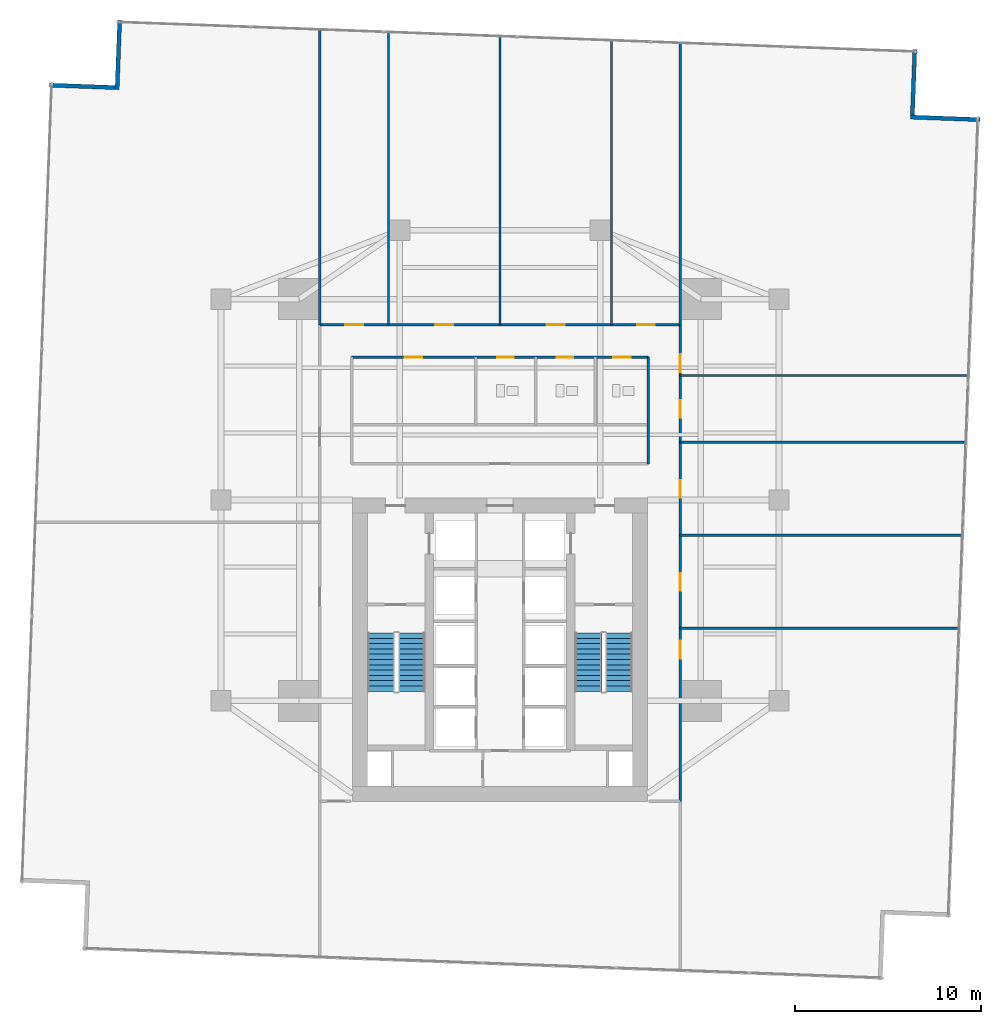
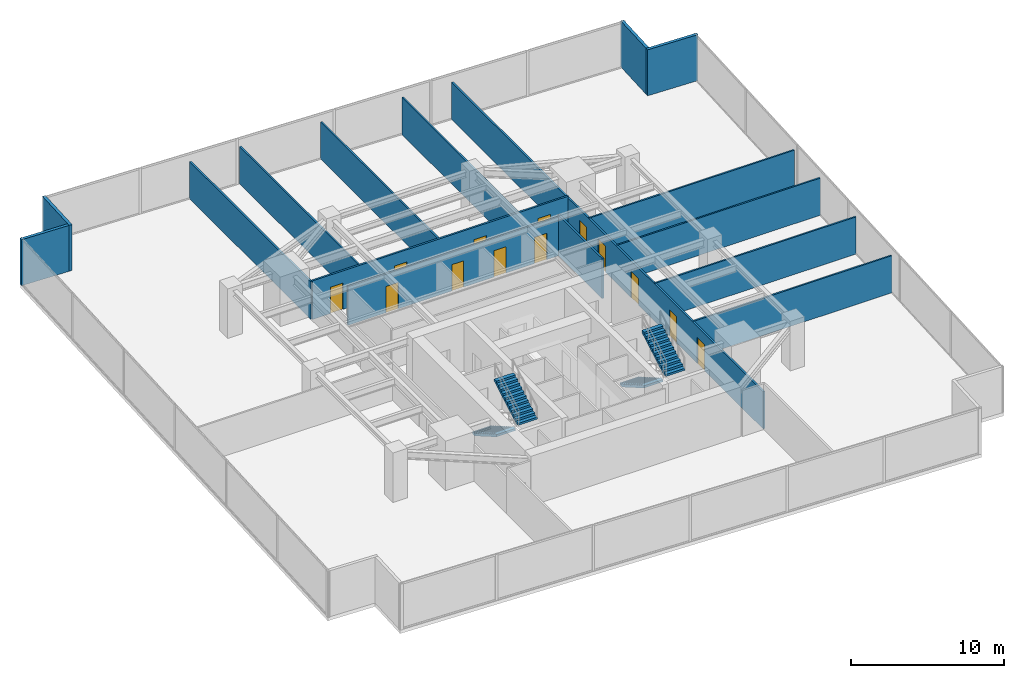
# One storey, part 28 of 30: 17 walls, 13 doors, 4 stair flights, 13 openings, 2 elements without a shape of their own.
"""IFC4 building model written with IfcOpenShell, lengths in metres."""

from ifc_helpers import new_model, si_unit, direction, frame, frame_2d, origin, place, context, subcontext, project, spatial, polyline, rectangle, outline, extrude, material, layer, layer_set, type_object, element, fill, aggregate, save


model = new_model("IFC4")

# Units and contexts
model_context = context("Model", 3, precision=1e-05, world=origin(), true_north=direction((0.0, 1.0)))
body_context = subcontext(model_context, "Body", "Model", "MODEL_VIEW")
ifc_project = project(units=[si_unit("LENGTHUNIT", "METRE"), si_unit("AREAUNIT", "SQUARE_METRE"), si_unit("VOLUMEUNIT", "CUBIC_METRE"), si_unit("PLANEANGLEUNIT", "RADIAN"), si_unit("MASSUNIT", "GRAM", prefix="KILO")], contexts=[model_context])

# Site, building, storey
site_placement = place(None, origin())
site = spatial("IfcSite", under=ifc_project, at=site_placement, CompositionType="ELEMENT")
building_placement = place(site_placement, origin())
building = spatial("IfcBuilding", under=site, at=building_placement, Name="Krantzveldt Concourse Tower", CompositionType="ELEMENT")
storey_placement = place(building_placement, frame((0.0, 0.0, 36.85009765625)))
storey = spatial("IfcBuildingStorey", under=building, at=storey_placement, Name="L08", CompositionType="ELEMENT", Elevation=36.85009765625)

# Walls
ifc_material_1 = material(Name="Anodised aluminium 6063-T6", Category="aluminium")
ifc_layer_1 = layer(ifc_material_1, 0.219970703125, Name="Anodised aluminium 6063-T6", Category="aluminium")
ifc_layer_set_1 = layer_set([ifc_layer_1], Name="Anodised aluminium 6063-T6 (WL-EXT-NOTCH220)")
wall_type_1 = type_object("IfcWallType", Name="WL-EXT-NOTCH220", PredefinedType="ELEMENTEDWALL", material=ifc_layer_set_1)
wall_1_placement = place(storey_placement, frame((15.307861328125, 48.87255859375, 0.0), z_axis=(0.0, 0.0, 1.0), x_axis=(-0.999313219865, 0.03705521019, 0.0)))
element("IfcWall", 1, at=wall_1_placement, inside=storey, type_object=wall_type_1, Name="EW-L08-NCH00", PredefinedType="ELEMENTEDWALL", context=body_context, shape_type="SweptSolid", body=[
    extrude(rectangle(XDim=3.52490234375, YDim=0.219970703125, at=frame_2d((1.762451171875, 0.0))), origin(), (0.0, 0.0, 1.0), 3.669921875),
])
wall_2_placement = place(storey_placement, frame((61.801025390625, 47.1474609375, 0.0), z_axis=(0.0, 0.0, 1.0), x_axis=(-0.999314208504, 0.037028538746, 0.0)))
element("IfcWall", 2, at=wall_2_placement, inside=storey, type_object=wall_type_1, Name="EW-L08-NCH08", PredefinedType="ELEMENTEDWALL", context=body_context, shape_type="SweptSolid", body=[
    extrude(rectangle(XDim=3.7451171875, YDim=0.219970703125, at=frame_2d((1.87255859375, 0.0))), origin(), (0.0, 0.0, 1.0), 3.669921875),
])
wall_3_placement = place(storey_placement, frame((58.172607421875, 47.39208984375, 0.0), z_axis=(0.0, 0.0, 1.0), x_axis=(0.03705521019, 0.999313219865, 0.0)))
element("IfcWall", 3, at=wall_3_placement, inside=storey, type_object=wall_type_1, Name="EW-L08-NCH09", PredefinedType="ELEMENTEDWALL", context=body_context, shape_type="SweptSolid", body=[
    extrude(rectangle(XDim=3.52490234375, YDim=0.219970703125, at=frame_2d((1.762451171875, 0.0))), origin(), (0.0, 0.0, 1.0), 3.669921875),
])
wall_4_placement = place(storey_placement, frame((15.552734375, 52.5009765625, 0.0), z_axis=(0.0, 0.0, 1.0), x_axis=(-0.037093640215, -0.999311794114, 0.0)))
element("IfcWall", 4, at=wall_4_placement, inside=storey, type_object=wall_type_1, Name="EW-L08-NCH11", PredefinedType="ELEMENTEDWALL", context=body_context, shape_type="SweptSolid", body=[
    extrude(rectangle(XDim=3.7451171875, YDim=0.219970703125, at=frame_2d((1.87255859375, 0.0))), origin(), (0.0, 0.0, 1.0), 3.669921875),
])
ifc_material_2 = material(Name="Fire-rated gypsum plasterboard on steel stud", Category="steel")
ifc_layer_2 = layer(ifc_material_2, 0.1201171875, Name="Fire-rated gypsum plasterboard on steel stud", Category="steel")
ifc_layer_set_2 = layer_set([ifc_layer_2], Name="Fire-rated gypsum plasterboard on steel stud (WL-PART-120)")
wall_type_2 = type_object("IfcWallType", Name="WL-PART-120", PredefinedType="PARTITIONING", material=ifc_layer_set_2)
wall_5_placement = place(storey_placement, frame((30.0, 36.1201171875, 0.0), z_axis=(0.0, 0.0, 1.0), x_axis=(0.0, 1.0, 0.0)))
element("IfcWall", 5, at=wall_5_placement, inside=storey, type_object=wall_type_2, Name="WP-L08-ND1", PredefinedType="PARTITIONING", context=body_context, shape_type="SweptSolid", body=[
    extrude(rectangle(XDim=15.729736328125, YDim=0.1201171875, at=frame_2d((7.86474609375, 0.0))), origin(), (0.0, 0.0, 1.0), 2.969970703125),
])
wall_6_placement = place(storey_placement, frame((36.0, 36.1201171875, 0.0), z_axis=(0.0, 0.0, 1.0), x_axis=(0.0, 1.0, 0.0)))
element("IfcWall", 6, at=wall_6_placement, inside=storey, type_object=wall_type_2, Name="WP-L08-ND2", PredefinedType="PARTITIONING", context=body_context, shape_type="SweptSolid", body=[
    extrude(rectangle(XDim=15.507080078125, YDim=0.1201171875, at=frame_2d((7.75341796875, 0.0))), origin(), (0.0, 0.0, 1.0), 2.969970703125),
])
wall_7_placement = place(storey_placement, frame((42.0, 36.1201171875, 0.0), z_axis=(0.0, 0.0, 1.0), x_axis=(0.0, 1.0, 0.0)))
element("IfcWall", 7, at=wall_7_placement, inside=storey, type_object=wall_type_2, Name="WP-L08-ND3", PredefinedType="PARTITIONING", context=body_context, shape_type="SweptSolid", body=[
    extrude(rectangle(XDim=15.284423828125, YDim=0.1201171875, at=frame_2d((7.64208984375, 0.0))), origin(), (0.0, 0.0, 1.0), 2.969970703125),
])
wall_8_placement = place(storey_placement, frame((45.679931640625, 19.800048828125, 0.0), z_axis=(0.0, 0.0, 1.0), x_axis=(1.0, 0.0, 0.0)))
element("IfcWall", 8, at=wall_8_placement, inside=storey, type_object=wall_type_2, Name="WP-L08-ED1", PredefinedType="PARTITIONING", context=body_context, shape_type="SweptSolid", body=[
    extrude(rectangle(XDim=14.9912109375, YDim=0.1201171875, at=frame_2d((7.49560546875, 0.0))), origin(), (0.0, 0.0, 1.0), 2.969970703125),
])
wall_9_placement = place(storey_placement, frame((45.679931640625, 24.800048828125, 0.0), z_axis=(0.0, 0.0, 1.0), x_axis=(1.0, 0.0, 0.0)))
element("IfcWall", 9, at=wall_9_placement, inside=storey, type_object=wall_type_2, Name="WP-L08-ED2", PredefinedType="PARTITIONING", context=body_context, shape_type="SweptSolid", body=[
    extrude(rectangle(XDim=15.1767578125, YDim=0.1201171875, at=frame_2d((7.58837890625, 0.0))), origin(), (0.0, 0.0, 1.0), 2.969970703125),
])
wall_10_placement = place(storey_placement, frame((45.679931640625, 29.800048828125, 0.0), z_axis=(0.0, 0.0, 1.0), x_axis=(1.0, 0.0, 0.0)))
element("IfcWall", 10, at=wall_10_placement, inside=storey, type_object=wall_type_2, Name="WP-L08-ED3", PredefinedType="PARTITIONING", context=body_context, shape_type="SweptSolid", body=[
    extrude(rectangle(XDim=15.3623046875, YDim=0.1201171875, at=frame_2d((7.68115234375, 0.0))), origin(), (0.0, 0.0, 1.0), 2.969970703125),
])
wall_11_placement = place(storey_placement, frame((45.679931640625, 33.39990234375, 0.0), z_axis=(0.0, 0.0, 1.0), x_axis=(1.0, 0.0, 0.0)))
element("IfcWall", 11, at=wall_11_placement, inside=storey, type_object=wall_type_2, Name="WP-L08-ED4", PredefinedType="PARTITIONING", context=body_context, shape_type="SweptSolid", body=[
    extrude(rectangle(XDim=15.495849609375, YDim=0.1201171875, at=frame_2d((7.748046875, 0.0))), origin(), (0.0, 0.0, 1.0), 2.969970703125),
])

# Wall, openings, doors
ifc_layer_3 = layer(ifc_material_2, 0.139892578125, Name="Fire-rated gypsum plasterboard on steel stud", Category="steel")
ifc_layer_set_3 = layer_set([ifc_layer_3], Name="Fire-rated gypsum plasterboard on steel stud (WL-PART-140)")
wall_type_3 = type_object("IfcWallType", Name="WL-PART-140", PredefinedType="PARTITIONING", material=ifc_layer_set_3)
wall_12_placement = place(storey_placement, frame((28.02001953125, 34.3798828125, 0.0), z_axis=(0.0, 0.0, 1.0), x_axis=(1.0, 0.0, 0.0)))
wall_12 = element("IfcWall", 12, at=wall_12_placement, inside=storey, type_object=wall_type_3, Name="WP-L08-ISLN", PredefinedType="PARTITIONING", context=body_context, shape_type="SweptSolid", body=[
    extrude(rectangle(XDim=15.9599609375, YDim=0.139892578125, at=frame_2d((7.97998046875, 0.0))), origin(), (0.0, 0.0, 1.0), 3.079833984375),
])
opening_1_placement = place(wall_12_placement, frame((7.830078125, 0.0, 0.0)))
opening_1 = element("IfcOpeningElement", 13, at=opening_1_placement, cuts=wall_12, Name="Opening D-IN090", PredefinedType="OPENING", context=body_context, shape_type="SweptSolid", body=[
    extrude(rectangle(XDim=0.89990234375, YDim=2.10009765625, at=frame_2d((0.449951171875, 1.050048828125))), frame((0.0, 0.080078125, 0.0), z_axis=(0.0, -1.0, 0.0), x_axis=(1.0, 0.0, 0.0)), (0.0, 0.0, 1.0), 0.159912109375),
])
opening_2_placement = place(wall_12_placement, frame((11.030029296875, 0.0, 0.0)))
opening_2 = element("IfcOpeningElement", 14, at=opening_2_placement, cuts=wall_12, Name="Opening D-IN090", PredefinedType="OPENING", context=body_context, shape_type="SweptSolid", body=[
    extrude(rectangle(XDim=0.89990234375, YDim=2.10009765625, at=frame_2d((0.449951171875, 1.050048828125))), frame((0.0, 0.080078125, 0.0), z_axis=(0.0, -1.0, 0.0), x_axis=(1.0, 0.0, 0.0)), (0.0, 0.0, 1.0), 0.159912109375),
])
opening_3_placement = place(wall_12_placement, frame((14.054931640625, 0.0, 0.0)))
opening_3 = element("IfcOpeningElement", 15, at=opening_3_placement, cuts=wall_12, Name="Opening D-IN095", PredefinedType="OPENING", context=body_context, shape_type="SweptSolid", body=[
    extrude(rectangle(XDim=0.949951171875, YDim=2.10009765625, at=frame_2d((0.47509765625, 1.050048828125))), frame((0.0, 0.080078125, 0.0), z_axis=(0.0, -1.0, 0.0), x_axis=(1.0, 0.0, 0.0)), (0.0, 0.0, 1.0), 0.159912109375),
])
opening_4_placement = place(wall_12_placement, frame((2.85498046875, 0.0, 0.0)))
opening_4 = element("IfcOpeningElement", 16, at=opening_4_placement, cuts=wall_12, Name="Opening D-IN095", PredefinedType="OPENING", context=body_context, shape_type="SweptSolid", body=[
    extrude(rectangle(XDim=0.949951171875, YDim=2.10009765625, at=frame_2d((0.47509765625, 1.050048828125))), frame((0.0, 0.080078125, 0.0), z_axis=(0.0, -1.0, 0.0), x_axis=(1.0, 0.0, 0.0)), (0.0, 0.0, 1.0), 0.159912109375),
])
ifc_material_3 = material(Name="Hardwood timber", Category="wood")
door_type_1 = type_object("IfcDoorType", Name="DR-INT-900", OperationType="SINGLE_SWING_LEFT", PredefinedType="DOOR", material=ifc_material_3)
door_1_placement = place(opening_1_placement, origin())
door_1 = element("IfcDoor", 17, at=door_1_placement, inside=storey, type_object=door_type_1, Name="DR-L08-WCM", OperationType="SINGLE_SWING_LEFT", OverallHeight=2.10009765625, OverallWidth=0.89990234375, PredefinedType="DOOR", context=body_context, shape_type="SweptSolid", body=[
    extrude(rectangle(XDim=0.89990234375, YDim=2.10009765625, at=frame_2d((0.449951171875, 1.050048828125))), frame((0.0, 0.02490234375, 0.0), z_axis=(0.0, -1.0, 0.0), x_axis=(1.0, 0.0, 0.0)), (0.0, 0.0, 1.0), 0.050048828125),
])
fill(opening_1, door_1)
door_2_placement = place(opening_2_placement, origin())
door_2 = element("IfcDoor", 18, at=door_2_placement, inside=storey, type_object=door_type_1, Name="DR-L08-WCF", OperationType="SINGLE_SWING_RIGHT", OverallHeight=2.10009765625, OverallWidth=0.89990234375, PredefinedType="DOOR", context=body_context, shape_type="SweptSolid", body=[
    extrude(rectangle(XDim=0.89990234375, YDim=2.10009765625, at=frame_2d((0.449951171875, 1.050048828125))), frame((0.0, 0.02490234375, 0.0), z_axis=(0.0, -1.0, 0.0), x_axis=(1.0, 0.0, 0.0)), (0.0, 0.0, 1.0), 0.050048828125),
])
fill(opening_2, door_2)
door_type_2 = type_object("IfcDoorType", Name="DR-INT-950", OperationType="SINGLE_SWING_LEFT", PredefinedType="DOOR", material=ifc_material_3)
door_3_placement = place(opening_3_placement, origin())
door_3 = element("IfcDoor", 19, at=door_3_placement, inside=storey, type_object=door_type_2, Name="DR-L08-WCA", OperationType="SINGLE_SWING_LEFT", OverallHeight=2.10009765625, OverallWidth=0.949951171875, PredefinedType="DOOR", context=body_context, shape_type="SweptSolid", body=[
    extrude(rectangle(XDim=0.949951171875, YDim=2.10009765625, at=frame_2d((0.47509765625, 1.050048828125))), frame((0.0, 0.02490234375, 0.0), z_axis=(0.0, -1.0, 0.0), x_axis=(1.0, 0.0, 0.0)), (0.0, 0.0, 1.0), 0.050048828125),
])
fill(opening_3, door_3)
door_4_placement = place(opening_4_placement, origin())
door_4 = element("IfcDoor", 20, at=door_4_placement, inside=storey, type_object=door_type_2, Name="DR-L08-PNT", OperationType="SINGLE_SWING_RIGHT", OverallHeight=2.10009765625, OverallWidth=0.949951171875, PredefinedType="DOOR", context=body_context, shape_type="SweptSolid", body=[
    extrude(rectangle(XDim=0.949951171875, YDim=2.10009765625, at=frame_2d((0.47509765625, 1.050048828125))), frame((0.0, 0.02490234375, 0.0), z_axis=(0.0, -1.0, 0.0), x_axis=(1.0, 0.0, 0.0)), (0.0, 0.0, 1.0), 0.050048828125),
])
fill(opening_4, door_4)

# Wall
wall_13_placement = place(storey_placement, frame((43.97998046875, 28.639892578125, 0.0), z_axis=(0.0, 0.0, 1.0), x_axis=(0.0, 1.0, 0.0)))
element("IfcWall", 21, at=wall_13_placement, inside=storey, type_object=wall_type_3, Name="WP-L08-ISLE", PredefinedType="PARTITIONING", context=body_context, shape_type="SweptSolid", body=[
    extrude(rectangle(XDim=5.739990234375, YDim=0.139892578125, at=frame_2d((2.8701171875, 0.0))), origin(), (0.0, 0.0, 1.0), 3.219970703125),
])

# Wall, openings, doors
wall_14_placement = place(storey_placement, frame((26.320068359375, 36.1201171875, 0.0), z_axis=(0.0, 0.0, 1.0), x_axis=(1.0, 0.0, 0.0)))
wall_14 = element("IfcWall", 22, at=wall_14_placement, inside=storey, type_object=wall_type_3, Name="WP-L08-CTOP", PredefinedType="PARTITIONING", context=body_context, shape_type="SweptSolid", body=[
    extrude(rectangle(XDim=19.35986328125, YDim=0.139892578125, at=frame_2d((9.679931640625, 0.0))), origin(), (0.0, 0.0, 1.0), 3.079833984375),
])
opening_5_placement = place(wall_14_placement, frame((1.364990234375, 0.0, 0.0)))
opening_5 = element("IfcOpeningElement", 23, at=opening_5_placement, cuts=wall_14, Name="Opening D-IN095", PredefinedType="OPENING", context=body_context, shape_type="SweptSolid", body=[
    extrude(rectangle(XDim=0.949951171875, YDim=2.10009765625, at=frame_2d((0.47509765625, 1.050048828125))), frame((0.0, 0.080078125, 0.0), z_axis=(0.0, -1.0, 0.0), x_axis=(1.0, 0.0, 0.0)), (0.0, 0.0, 1.0), 0.159912109375),
])
opening_6_placement = place(wall_14_placement, frame((6.205078125, 0.0, 0.0)))
opening_6 = element("IfcOpeningElement", 24, at=opening_6_placement, cuts=wall_14, Name="Opening D-IN095", PredefinedType="OPENING", context=body_context, shape_type="SweptSolid", body=[
    extrude(rectangle(XDim=0.949951171875, YDim=2.10009765625, at=frame_2d((0.47509765625, 1.050048828125))), frame((0.0, 0.080078125, 0.0), z_axis=(0.0, -1.0, 0.0), x_axis=(1.0, 0.0, 0.0)), (0.0, 0.0, 1.0), 0.159912109375),
])
opening_7_placement = place(wall_14_placement, frame((12.205078125, 0.0, 0.0)))
opening_7 = element("IfcOpeningElement", 25, at=opening_7_placement, cuts=wall_14, Name="Opening D-IN095", PredefinedType="OPENING", context=body_context, shape_type="SweptSolid", body=[
    extrude(rectangle(XDim=0.949951171875, YDim=2.10009765625, at=frame_2d((0.47509765625, 1.050048828125))), frame((0.0, 0.080078125, 0.0), z_axis=(0.0, -1.0, 0.0), x_axis=(1.0, 0.0, 0.0)), (0.0, 0.0, 1.0), 0.159912109375),
])
opening_8_placement = place(wall_14_placement, frame((17.044921875, 0.0, 0.0)))
opening_8 = element("IfcOpeningElement", 26, at=opening_8_placement, cuts=wall_14, Name="Opening D-IN095", PredefinedType="OPENING", context=body_context, shape_type="SweptSolid", body=[
    extrude(rectangle(XDim=0.949951171875, YDim=2.10009765625, at=frame_2d((0.47509765625, 1.050048828125))), frame((0.0, 0.080078125, 0.0), z_axis=(0.0, -1.0, 0.0), x_axis=(1.0, 0.0, 0.0)), (0.0, 0.0, 1.0), 0.159912109375),
])
door_5_placement = place(opening_5_placement, origin())
door_5 = element("IfcDoor", 27, at=door_5_placement, inside=storey, type_object=door_type_2, Name="DR-L08-NR1", OperationType="SINGLE_SWING_LEFT", OverallHeight=2.10009765625, OverallWidth=0.949951171875, PredefinedType="DOOR", context=body_context, shape_type="SweptSolid", body=[
    extrude(rectangle(XDim=0.949951171875, YDim=2.10009765625, at=frame_2d((0.47509765625, 1.050048828125))), frame((0.0, 0.02490234375, 0.0), z_axis=(0.0, -1.0, 0.0), x_axis=(1.0, 0.0, 0.0)), (0.0, 0.0, 1.0), 0.050048828125),
])
fill(opening_5, door_5)
door_6_placement = place(opening_6_placement, origin())
door_6 = element("IfcDoor", 28, at=door_6_placement, inside=storey, type_object=door_type_2, Name="DR-L08-NR2", OperationType="SINGLE_SWING_LEFT", OverallHeight=2.10009765625, OverallWidth=0.949951171875, PredefinedType="DOOR", context=body_context, shape_type="SweptSolid", body=[
    extrude(rectangle(XDim=0.949951171875, YDim=2.10009765625, at=frame_2d((0.47509765625, 1.050048828125))), frame((0.0, 0.02490234375, 0.0), z_axis=(0.0, -1.0, 0.0), x_axis=(1.0, 0.0, 0.0)), (0.0, 0.0, 1.0), 0.050048828125),
])
fill(opening_6, door_6)
door_7_placement = place(opening_7_placement, origin())
door_7 = element("IfcDoor", 29, at=door_7_placement, inside=storey, type_object=door_type_2, Name="DR-L08-NR3", OperationType="SINGLE_SWING_LEFT", OverallHeight=2.10009765625, OverallWidth=0.949951171875, PredefinedType="DOOR", context=body_context, shape_type="SweptSolid", body=[
    extrude(rectangle(XDim=0.949951171875, YDim=2.10009765625, at=frame_2d((0.47509765625, 1.050048828125))), frame((0.0, 0.02490234375, 0.0), z_axis=(0.0, -1.0, 0.0), x_axis=(1.0, 0.0, 0.0)), (0.0, 0.0, 1.0), 0.050048828125),
])
fill(opening_7, door_7)
door_8_placement = place(opening_8_placement, origin())
door_8 = element("IfcDoor", 30, at=door_8_placement, inside=storey, type_object=door_type_2, Name="DR-L08-NR4", OperationType="SINGLE_SWING_LEFT", OverallHeight=2.10009765625, OverallWidth=0.949951171875, PredefinedType="DOOR", context=body_context, shape_type="SweptSolid", body=[
    extrude(rectangle(XDim=0.949951171875, YDim=2.10009765625, at=frame_2d((0.47509765625, 1.050048828125))), frame((0.0, 0.02490234375, 0.0), z_axis=(0.0, -1.0, 0.0), x_axis=(1.0, 0.0, 0.0)), (0.0, 0.0, 1.0), 0.050048828125),
])
fill(opening_8, door_8)

wall_15_placement = place(storey_placement, frame((45.679931640625, 10.5, 0.0), z_axis=(0.0, 0.0, 1.0), x_axis=(0.0, 1.0, 0.0)))
wall_15 = element("IfcWall", 31, at=wall_15_placement, inside=storey, type_object=wall_type_3, Name="WP-L08-CEAST", PredefinedType="PARTITIONING", context=body_context, shape_type="SweptSolid", body=[
    extrude(rectangle(XDim=25.6201171875, YDim=0.139892578125, at=frame_2d((12.81005859375, 0.0))), origin(), (0.0, 0.0, 1.0), 2.969970703125),
])
opening_9_placement = place(wall_15_placement, frame((7.675048828125, 0.0, 0.0)))
opening_9 = element("IfcOpeningElement", 32, at=opening_9_placement, cuts=wall_15, Name="Opening D-IN095", PredefinedType="OPENING", context=body_context, shape_type="SweptSolid", body=[
    extrude(rectangle(XDim=0.949951171875, YDim=2.10009765625, at=frame_2d((0.47509765625, 1.050048828125))), frame((0.0, 0.080078125, 0.0), z_axis=(0.0, -1.0, 0.0), x_axis=(1.0, 0.0, 0.0)), (0.0, 0.0, 1.0), 0.159912109375),
])
opening_10_placement = place(wall_15_placement, frame((11.324951171875, 0.0, 0.0)))
opening_10 = element("IfcOpeningElement", 33, at=opening_10_placement, cuts=wall_15, Name="Opening D-IN095", PredefinedType="OPENING", context=body_context, shape_type="SweptSolid", body=[
    extrude(rectangle(XDim=0.949951171875, YDim=2.10009765625, at=frame_2d((0.47509765625, 1.050048828125))), frame((0.0, 0.080078125, 0.0), z_axis=(0.0, -1.0, 0.0), x_axis=(1.0, 0.0, 0.0)), (0.0, 0.0, 1.0), 0.159912109375),
])
opening_11_placement = place(wall_15_placement, frame((16.324951171875, 0.0, 0.0)))
opening_11 = element("IfcOpeningElement", 34, at=opening_11_placement, cuts=wall_15, Name="Opening D-IN095", PredefinedType="OPENING", context=body_context, shape_type="SweptSolid", body=[
    extrude(rectangle(XDim=0.949951171875, YDim=2.10009765625, at=frame_2d((0.47509765625, 1.050048828125))), frame((0.0, 0.080078125, 0.0), z_axis=(0.0, -1.0, 0.0), x_axis=(1.0, 0.0, 0.0)), (0.0, 0.0, 1.0), 0.159912109375),
])
opening_12_placement = place(wall_15_placement, frame((20.625, 0.0, 0.0)))
opening_12 = element("IfcOpeningElement", 35, at=opening_12_placement, cuts=wall_15, Name="Opening D-IN095", PredefinedType="OPENING", context=body_context, shape_type="SweptSolid", body=[
    extrude(rectangle(XDim=0.949951171875, YDim=2.10009765625, at=frame_2d((0.47509765625, 1.050048828125))), frame((0.0, 0.080078125, 0.0), z_axis=(0.0, -1.0, 0.0), x_axis=(1.0, 0.0, 0.0)), (0.0, 0.0, 1.0), 0.159912109375),
])
opening_13_placement = place(wall_15_placement, frame((23.074951171875, 0.0, 0.0)))
opening_13 = element("IfcOpeningElement", 36, at=opening_13_placement, cuts=wall_15, Name="Opening D-IN095", PredefinedType="OPENING", context=body_context, shape_type="SweptSolid", body=[
    extrude(rectangle(XDim=0.949951171875, YDim=2.10009765625, at=frame_2d((0.47509765625, 1.050048828125))), frame((0.0, 0.080078125, 0.0), z_axis=(0.0, -1.0, 0.0), x_axis=(1.0, 0.0, 0.0)), (0.0, 0.0, 1.0), 0.159912109375),
])
door_9_placement = place(opening_9_placement, origin())
door_9 = element("IfcDoor", 37, at=door_9_placement, inside=storey, type_object=door_type_2, Name="DR-L08-ER1", OperationType="SINGLE_SWING_LEFT", OverallHeight=2.10009765625, OverallWidth=0.949951171875, PredefinedType="DOOR", context=body_context, shape_type="SweptSolid", body=[
    extrude(rectangle(XDim=0.949951171875, YDim=2.10009765625, at=frame_2d((0.47509765625, 1.050048828125))), frame((0.0, 0.02490234375, 0.0), z_axis=(0.0, -1.0, 0.0), x_axis=(1.0, 0.0, 0.0)), (0.0, 0.0, 1.0), 0.050048828125),
])
fill(opening_9, door_9)
door_10_placement = place(opening_10_placement, origin())
door_10 = element("IfcDoor", 38, at=door_10_placement, inside=storey, type_object=door_type_2, Name="DR-L08-ER2", OperationType="SINGLE_SWING_LEFT", OverallHeight=2.10009765625, OverallWidth=0.949951171875, PredefinedType="DOOR", context=body_context, shape_type="SweptSolid", body=[
    extrude(rectangle(XDim=0.949951171875, YDim=2.10009765625, at=frame_2d((0.47509765625, 1.050048828125))), frame((0.0, 0.02490234375, 0.0), z_axis=(0.0, -1.0, 0.0), x_axis=(1.0, 0.0, 0.0)), (0.0, 0.0, 1.0), 0.050048828125),
])
fill(opening_10, door_10)
door_11_placement = place(opening_11_placement, origin())
door_11 = element("IfcDoor", 39, at=door_11_placement, inside=storey, type_object=door_type_2, Name="DR-L08-ER3", OperationType="SINGLE_SWING_LEFT", OverallHeight=2.10009765625, OverallWidth=0.949951171875, PredefinedType="DOOR", context=body_context, shape_type="SweptSolid", body=[
    extrude(rectangle(XDim=0.949951171875, YDim=2.10009765625, at=frame_2d((0.47509765625, 1.050048828125))), frame((0.0, 0.02490234375, 0.0), z_axis=(0.0, -1.0, 0.0), x_axis=(1.0, 0.0, 0.0)), (0.0, 0.0, 1.0), 0.050048828125),
])
fill(opening_11, door_11)
door_12_placement = place(opening_12_placement, origin())
door_12 = element("IfcDoor", 40, at=door_12_placement, inside=storey, type_object=door_type_2, Name="DR-L08-ER4", OperationType="SINGLE_SWING_LEFT", OverallHeight=2.10009765625, OverallWidth=0.949951171875, PredefinedType="DOOR", context=body_context, shape_type="SweptSolid", body=[
    extrude(rectangle(XDim=0.949951171875, YDim=2.10009765625, at=frame_2d((0.47509765625, 1.050048828125))), frame((0.0, 0.02490234375, 0.0), z_axis=(0.0, -1.0, 0.0), x_axis=(1.0, 0.0, 0.0)), (0.0, 0.0, 1.0), 0.050048828125),
])
fill(opening_12, door_12)
door_13_placement = place(opening_13_placement, origin())
door_13 = element("IfcDoor", 41, at=door_13_placement, inside=storey, type_object=door_type_2, Name="DR-L08-ER5", OperationType="SINGLE_SWING_LEFT", OverallHeight=2.10009765625, OverallWidth=0.949951171875, PredefinedType="DOOR", context=body_context, shape_type="SweptSolid", body=[
    extrude(rectangle(XDim=0.949951171875, YDim=2.10009765625, at=frame_2d((0.47509765625, 1.050048828125))), frame((0.0, 0.02490234375, 0.0), z_axis=(0.0, -1.0, 0.0), x_axis=(1.0, 0.0, 0.0)), (0.0, 0.0, 1.0), 0.050048828125),
])
fill(opening_13, door_13)

# Walls
wall_16_placement = place(storey_placement, frame((26.320068359375, 36.1201171875, 0.0), z_axis=(0.0, 0.0, 1.0), x_axis=(0.0, 1.0, 0.0)))
element("IfcWall", 42, at=wall_16_placement, inside=storey, type_object=wall_type_3, Name="WP-L08-NWL", PredefinedType="PARTITIONING", context=body_context, shape_type="SweptSolid", body=[
    extrude(rectangle(XDim=15.8662109375, YDim=0.139892578125, at=frame_2d((7.93310546875, 0.0))), origin(), (0.0, 0.0, 1.0), 2.969970703125),
])
wall_17_placement = place(storey_placement, frame((45.679931640625, 36.1201171875, 0.0), z_axis=(0.0, 0.0, 1.0), x_axis=(0.0, 1.0, 0.0)))
element("IfcWall", 43, at=wall_17_placement, inside=storey, type_object=wall_type_3, Name="WP-L08-NER", PredefinedType="PARTITIONING", context=body_context, shape_type="SweptSolid", body=[
    extrude(rectangle(XDim=15.14794921875, YDim=0.139892578125, at=frame_2d((7.573974609375, 0.0))), origin(), (0.0, 0.0, 1.0), 2.969970703125),
])

# Stair, stair flights
ifc_material_4 = material(Name="Precast concrete C40/50", Category="concrete")
stair_type = type_object("IfcStairType", Name="STR-CORE-DOGLEG", PredefinedType="HALF_TURN_STAIR", material=ifc_material_4)
stair_1_placement = place(storey_placement, origin())
stair_1 = element("IfcStair", 44, at=stair_1_placement, inside=storey, type_object=stair_type, Name="L08 Protected Escape Stair ST-1", PredefinedType="HALF_TURN_STAIR")
stair_flight_type = type_object("IfcStairFlightType", Name="STF-CORE-1450", PredefinedType="STRAIGHT", material=ifc_material_4)
stair_flight_1_placement = place(storey_placement, frame((29.60498046875, 19.550048828125, 0.0), z_axis=(0.0, 0.0, 1.0), x_axis=(0.0, -1.0, 0.0)))
stair_flight_1 = element("IfcStairFlight", 45, at=stair_flight_1_placement, type_object=stair_flight_type, Name="ST-1 flight 1", NumberOfRisers=12, NumberOfTreads=11, PredefinedType="STRAIGHT", RiserHeight=0.164583333, TreadLength=0.285, context=body_context, shape_type="SweptSolid", body=[
    extrude(outline(polyline([(0.0, 0.0), (0.0, 0.16455078125), (0.284912109375, 0.16455078125), (0.284912109375, 0.3291015625), (0.570068359375, 0.3291015625), (0.570068359375, 0.49365234375), (0.85498046875, 0.49365234375), (0.85498046875, 0.658447265625), (1.139892578125, 0.658447265625), (1.139892578125, 0.822998046875), (1.425048828125, 0.822998046875), (1.425048828125, 0.987548828125), (1.7099609375, 0.987548828125), (1.7099609375, 1.152099609375), (1.9951171875, 1.152099609375), (1.9951171875, 1.316650390625), (2.280029296875, 1.316650390625), (2.280029296875, 1.481201171875), (2.56494140625, 1.481201171875), (2.56494140625, 1.645751953125), (2.85009765625, 1.645751953125), (2.85009765625, 1.810302734375), (3.135009765625, 1.810302734375), (3.135009765625, 1.97509765625), (3.135009765625, 1.63720703125), (0.2998046875, 0.0), (0.0, 0.0)])), frame((0.0, 0.72509765625, 0.0), z_axis=(0.0, -1.0, 0.0), x_axis=(1.0, 0.0, 0.0)), (0.0, 0.0, 1.0), 1.449951171875),
])
stair_flight_2_placement = place(storey_placement, frame((31.2548828125, 16.4150390625, 1.974853515625), z_axis=(0.0, 0.0, 1.0), x_axis=(0.0, 1.0, 0.0)))
stair_flight_2 = element("IfcStairFlight", 46, at=stair_flight_2_placement, type_object=stair_flight_type, Name="ST-1 flight 2", NumberOfRisers=12, NumberOfTreads=11, PredefinedType="STRAIGHT", RiserHeight=0.164583333, TreadLength=0.285, context=body_context, shape_type="SweptSolid", body=[
    extrude(outline(polyline([(0.0, 0.0), (0.0, 0.16455078125), (0.284912109375, 0.16455078125), (0.284912109375, 0.3291015625), (0.570068359375, 0.3291015625), (0.570068359375, 0.49365234375), (0.85498046875, 0.49365234375), (0.85498046875, 0.658447265625), (1.139892578125, 0.658447265625), (1.139892578125, 0.822998046875), (1.425048828125, 0.822998046875), (1.425048828125, 0.987548828125), (1.7099609375, 0.987548828125), (1.7099609375, 1.152099609375), (1.9951171875, 1.152099609375), (1.9951171875, 1.316650390625), (2.280029296875, 1.316650390625), (2.280029296875, 1.481201171875), (2.56494140625, 1.481201171875), (2.56494140625, 1.645751953125), (2.85009765625, 1.645751953125), (2.85009765625, 1.810302734375), (3.135009765625, 1.810302734375), (3.135009765625, 1.97509765625), (3.135009765625, 1.63720703125), (0.2998046875, 0.0), (0.0, 0.0)])), frame((0.0, 0.72509765625, 0.0), z_axis=(0.0, -1.0, 0.0), x_axis=(1.0, 0.0, 0.0)), (0.0, 0.0, 1.0), 1.449951171875),
])
aggregate(stair_1, [stair_flight_1, stair_flight_2])

stair_2_placement = place(storey_placement, origin())
stair_2 = element("IfcStair", 47, at=stair_2_placement, inside=storey, type_object=stair_type, Name="L08 Protected Escape Stair ST-2", PredefinedType="HALF_TURN_STAIR")
stair_flight_3_placement = place(storey_placement, frame((40.7451171875, 19.550048828125, 0.0), z_axis=(0.0, 0.0, 1.0), x_axis=(0.0, -1.0, 0.0)))
stair_flight_3 = element("IfcStairFlight", 48, at=stair_flight_3_placement, type_object=stair_flight_type, Name="ST-2 flight 1", NumberOfRisers=12, NumberOfTreads=11, PredefinedType="STRAIGHT", RiserHeight=0.164583333, TreadLength=0.285, context=body_context, shape_type="SweptSolid", body=[
    extrude(outline(polyline([(0.0, 0.0), (0.0, 0.16455078125), (0.284912109375, 0.16455078125), (0.284912109375, 0.3291015625), (0.570068359375, 0.3291015625), (0.570068359375, 0.49365234375), (0.85498046875, 0.49365234375), (0.85498046875, 0.658447265625), (1.139892578125, 0.658447265625), (1.139892578125, 0.822998046875), (1.425048828125, 0.822998046875), (1.425048828125, 0.987548828125), (1.7099609375, 0.987548828125), (1.7099609375, 1.152099609375), (1.9951171875, 1.152099609375), (1.9951171875, 1.316650390625), (2.280029296875, 1.316650390625), (2.280029296875, 1.481201171875), (2.56494140625, 1.481201171875), (2.56494140625, 1.645751953125), (2.85009765625, 1.645751953125), (2.85009765625, 1.810302734375), (3.135009765625, 1.810302734375), (3.135009765625, 1.97509765625), (3.135009765625, 1.63720703125), (0.2998046875, 0.0), (0.0, 0.0)])), frame((0.0, 0.72509765625, 0.0), z_axis=(0.0, -1.0, 0.0), x_axis=(1.0, 0.0, 0.0)), (0.0, 0.0, 1.0), 1.449951171875),
])
stair_flight_4_placement = place(storey_placement, frame((42.39501953125, 16.4150390625, 1.974853515625), z_axis=(0.0, 0.0, 1.0), x_axis=(0.0, 1.0, 0.0)))
stair_flight_4 = element("IfcStairFlight", 49, at=stair_flight_4_placement, type_object=stair_flight_type, Name="ST-2 flight 2", NumberOfRisers=12, NumberOfTreads=11, PredefinedType="STRAIGHT", RiserHeight=0.164583333, TreadLength=0.285, context=body_context, shape_type="SweptSolid", body=[
    extrude(outline(polyline([(0.0, 0.0), (0.0, 0.16455078125), (0.284912109375, 0.16455078125), (0.284912109375, 0.3291015625), (0.570068359375, 0.3291015625), (0.570068359375, 0.49365234375), (0.85498046875, 0.49365234375), (0.85498046875, 0.658447265625), (1.139892578125, 0.658447265625), (1.139892578125, 0.822998046875), (1.425048828125, 0.822998046875), (1.425048828125, 0.987548828125), (1.7099609375, 0.987548828125), (1.7099609375, 1.152099609375), (1.9951171875, 1.152099609375), (1.9951171875, 1.316650390625), (2.280029296875, 1.316650390625), (2.280029296875, 1.481201171875), (2.56494140625, 1.481201171875), (2.56494140625, 1.645751953125), (2.85009765625, 1.645751953125), (2.85009765625, 1.810302734375), (3.135009765625, 1.810302734375), (3.135009765625, 1.97509765625), (3.135009765625, 1.63720703125), (0.2998046875, 0.0), (0.0, 0.0)])), frame((0.0, 0.72509765625, 0.0), z_axis=(0.0, -1.0, 0.0), x_axis=(1.0, 0.0, 0.0)), (0.0, 0.0, 1.0), 1.449951171875),
])
aggregate(stair_2, [stair_flight_3, stair_flight_4])

save(model, "model.ifc")
